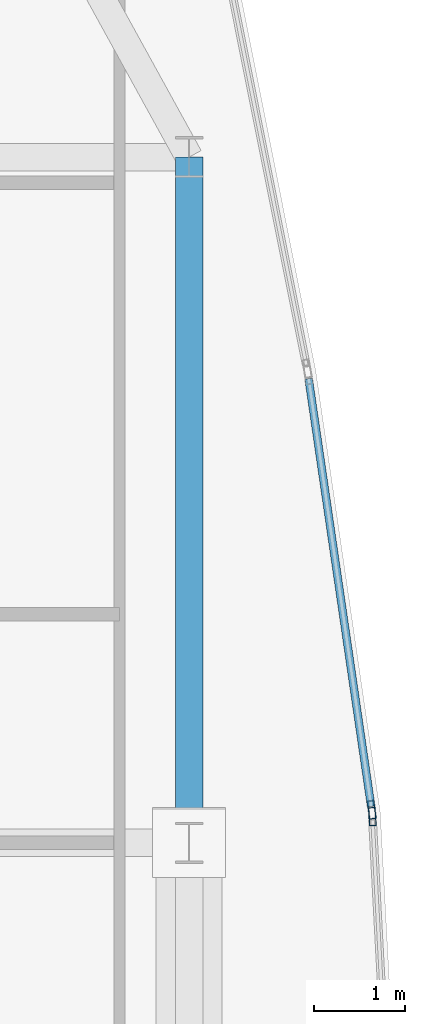
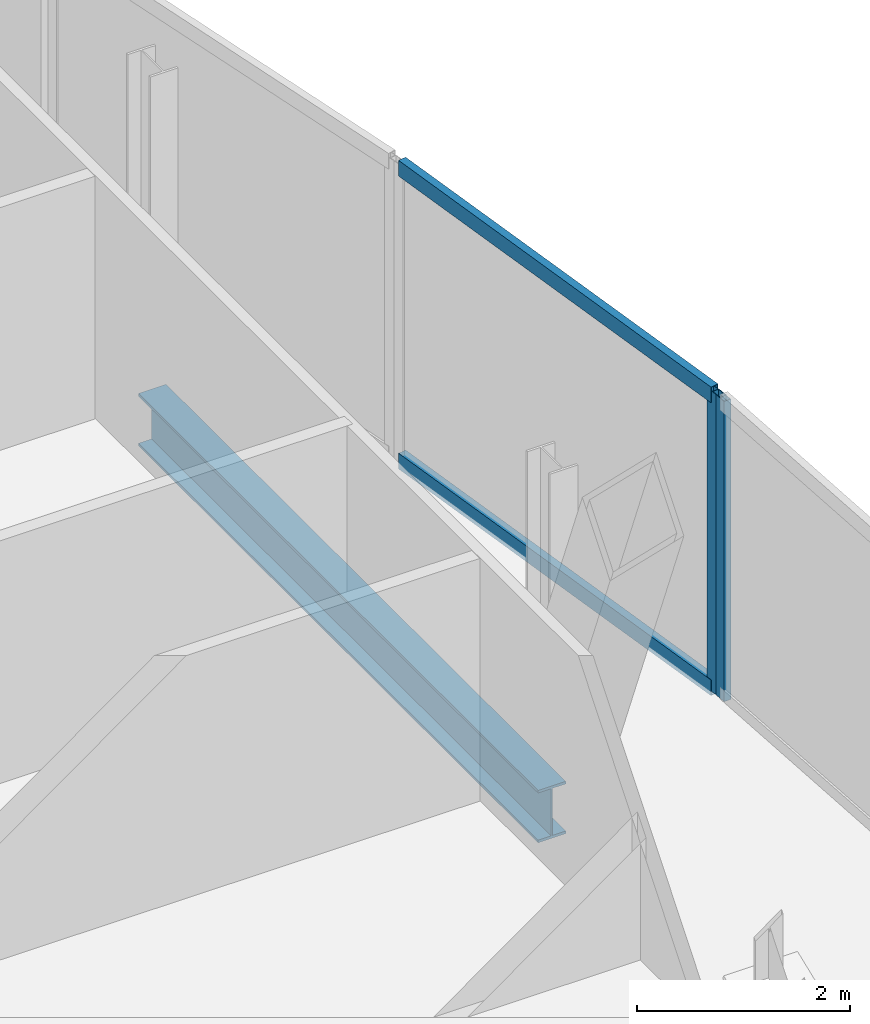
# One storey, part 21 of 32: 4 members, 1 beam, 2 elements without a shape of their own.
"""IFC4 building model written with IfcOpenShell, lengths in metres."""

from ifc_helpers import new_model, si_unit, direction, frame, origin, origin_2d, place, context, subcontext, project, spatial, hollow_rectangle, i_section, extrude, material, material_profile, profile_set, type_object, element, aggregate, save


model = new_model("IFC4")

# Units and contexts
model_context = context("Model", 3, precision=1e-05, world=origin(), true_north=direction((0.0, 1.0)))
body_context = subcontext(model_context, "Body", "Model", "MODEL_VIEW")
ifc_project = project(units=[si_unit("LENGTHUNIT", "METRE"), si_unit("AREAUNIT", "SQUARE_METRE"), si_unit("VOLUMEUNIT", "CUBIC_METRE"), si_unit("PLANEANGLEUNIT", "RADIAN"), si_unit("MASSUNIT", "GRAM", prefix="KILO")], contexts=[model_context])

# Site, building, storey
site_placement = place(None, origin())
site = spatial("IfcSite", under=ifc_project, at=site_placement, CompositionType="ELEMENT")
building_placement = place(site_placement, origin())
building = spatial("IfcBuilding", under=site, at=building_placement, Name="Khoronbel Lancet Exchange", CompositionType="ELEMENT")
storey_placement = place(building_placement, frame((0.0, 0.0, 221.0)))
storey = spatial("IfcBuildingStorey", under=building, at=storey_placement, Name="L56", CompositionType="ELEMENT", Elevation=221.0)

# Beam
ifc_material_1 = material(Name="Steel S355", Category="steel")
ifc_material_profile_1 = material_profile(ifc_material_1, i_section(OverallWidth=0.300048828125, OverallDepth=0.60009765625, WebThickness=0.015380859375, FlangeThickness=0.030029296875, at=origin_2d()), Name="HEB 600")
ifc_profile_set_1 = profile_set([ifc_material_profile_1], Name="Steel S355")
beam_type = type_object("IfcBeamType", Name="BM-BSP2", PredefinedType="SPANDREL", material=ifc_profile_set_1)
beam_placement = place(storey_placement, frame((65.6298828125, 35.699951171875, -0.4599609375), z_axis=(0.0, 1.0, 0.0), x_axis=(-1.0, 0.0, 0.0)))
element("IfcBeam", 1, at=beam_placement, inside=storey, type_object=beam_type, Name="Level L56 perimeter spandrel beam SP14", PredefinedType="SPANDREL", context=body_context, shape_type="SweptSolid", body=[
    extrude(i_section(OverallWidth=0.300048828125, OverallDepth=0.60009765625, WebThickness=0.015380859375, FlangeThickness=0.030029296875, at=origin_2d()), origin(), (0.0, 0.0, 1.0), 7.5),
])

# Curtain wall, member
ifc_material_2 = material(Name="Low-E Solar Control Insulating Glass", Category="glass")
curtain_wall_type = type_object("IfcCurtainWallType", Name="CW-4", PredefinedType="NOTDEFINED", material=ifc_material_2)
curtain_wall_1_placement = place(storey_placement, origin())
curtain_wall_1 = element("IfcCurtainWall", 2, at=curtain_wall_1_placement, inside=storey, type_object=curtain_wall_type, Name="Unitised curtain wall CW-L56-E18", PredefinedType="NOTDEFINED")
ifc_material_3 = material(Name="Bronze-Anodised Aluminium 6063-T6", Category="aluminium")
ifc_material_profile_2 = material_profile(ifc_material_3, hollow_rectangle(XDim=0.074951171875, YDim=0.199951171875, WallThickness=0.0048828125, at=origin_2d()), Name="ALU MULLION 75x200")
ifc_profile_set_2 = profile_set([ifc_material_profile_2], Name="Bronze-Anodised Aluminium 6063-T6")
member_type_1 = type_object("IfcMemberType", Name="MEM-CWM2", PredefinedType="MULLION", material=ifc_profile_set_2)
member_1_placement = place(storey_placement, frame((67.626708984375, 36.0615234375, 0.0), z_axis=(0.0, 0.0, 1.0), x_axis=(0.989484260483, 0.144640583019, 0.0)))
member_1 = element("IfcMember", 3, at=member_1_placement, type_object=member_type_1, Name="CW4 mullion 2", PredefinedType="MULLION", context=body_context, shape_type="SweptSolid", body=[
    extrude(hollow_rectangle(XDim=0.074951171875, YDim=0.199951171875, WallThickness=0.0048828125, at=origin_2d()), origin(), (0.0, 0.0, 1.0), 3.43994140625),
])

curtain_wall_2_placement = place(storey_placement, origin())
curtain_wall_2 = element("IfcCurtainWall", 4, at=curtain_wall_2_placement, inside=storey, type_object=curtain_wall_type, Name="Unitised curtain wall CW-L56-E19", PredefinedType="NOTDEFINED")
member_2_placement = place(storey_placement, frame((67.634033203125, 35.987060546875, 0.0), z_axis=(0.0, 0.0, 1.0), x_axis=(0.998570895104, 0.053443123521, 0.0)))
member_2 = element("IfcMember", 5, at=member_2_placement, type_object=member_type_1, Name="CW4 mullion 1", PredefinedType="MULLION", context=body_context, shape_type="SweptSolid", body=[
    extrude(hollow_rectangle(XDim=0.074951171875, YDim=0.199951171875, WallThickness=0.0048828125, at=origin_2d()), origin(), (0.0, 0.0, 1.0), 3.43994140625),
])
aggregate(curtain_wall_2, [member_2])

# Member
ifc_material_profile_3 = material_profile(ifc_material_3, hollow_rectangle(XDim=0.0849609375, YDim=0.179931640625, WallThickness=0.0048828125, at=origin_2d()), Name="ALU TRANSOM 85x180")
ifc_profile_set_3 = profile_set([ifc_material_profile_3], Name="Bronze-Anodised Aluminium 6063-T6")
member_type_2 = type_object("IfcMemberType", Name="MEM-CWT1", PredefinedType="USERDEFINED", material=ifc_profile_set_3)
member_3_placement = place(storey_placement, frame((66.937255859375, 40.777099609375, 0.04248046875), z_axis=(0.144680812909, -0.989478378933, 0.0), x_axis=(0.989478378933, 0.144680812909, 0.0)))
member_3 = element("IfcMember", 6, at=member_3_placement, type_object=member_type_2, Name="CW4 transom 1.1", ObjectType="TRANSOM", PredefinedType="USERDEFINED", context=body_context, shape_type="SweptSolid", body=[
    extrude(hollow_rectangle(XDim=0.0849609375, YDim=0.179931640625, WallThickness=0.0048828125, at=origin_2d()), origin(), (0.0, 0.0, 1.0), 4.728271484375),
])

member_4_placement = place(storey_placement, frame((66.937255859375, 40.777099609375, 3.3974609375), z_axis=(0.144680812909, -0.989478378933, 0.0), x_axis=(0.989478378933, 0.144680812909, 0.0)))
member_4 = element("IfcMember", 7, at=member_4_placement, type_object=member_type_2, Name="CW4 transom 1.2", ObjectType="TRANSOM", PredefinedType="USERDEFINED", context=body_context, shape_type="SweptSolid", body=[
    extrude(hollow_rectangle(XDim=0.0849609375, YDim=0.179931640625, WallThickness=0.0048828125, at=origin_2d()), origin(), (0.0, 0.0, 1.0), 4.728271484375),
])

aggregate(curtain_wall_1, [member_1, member_3, member_4])

save(model, "model.ifc")
